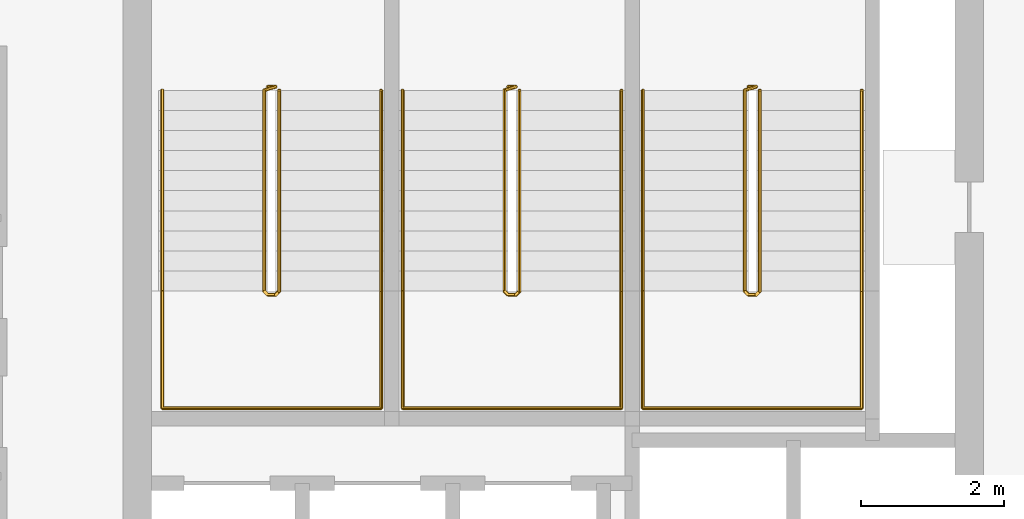
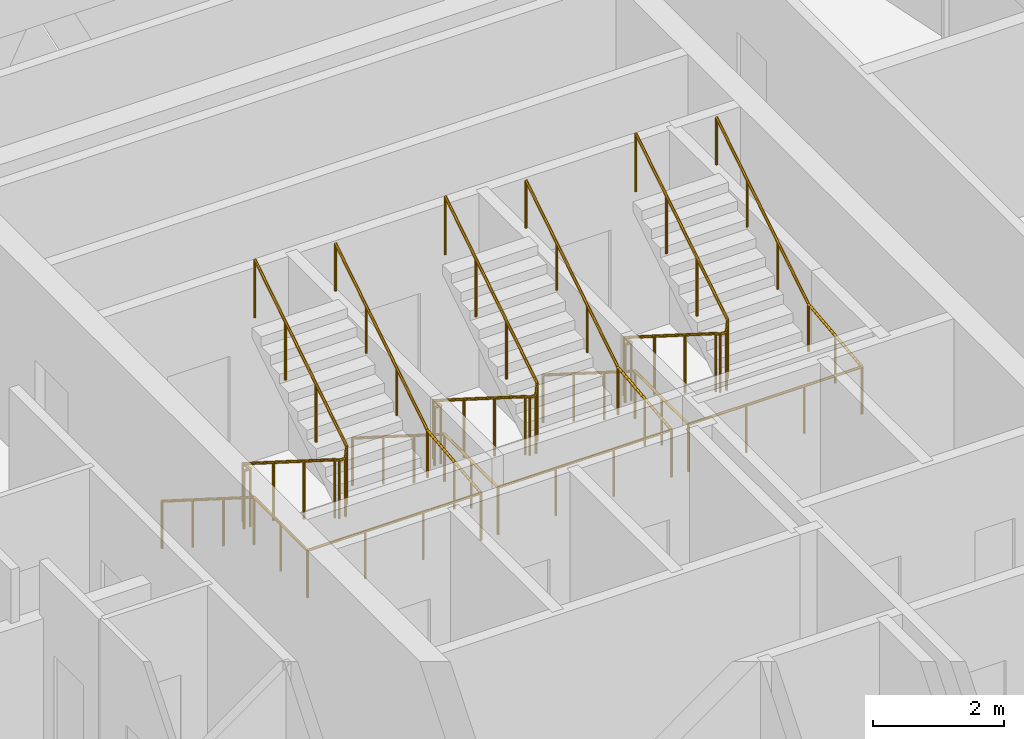
# One storey, part 10 of 10: 6 railings.
"""IFC4 building model written with IfcOpenShell, lengths in metres."""

from ifc_helpers import new_model, si_unit, direction, frame, origin, origin_2d, place, context, subcontext, project, spatial, circle, extrude, material, type_object, element, save


model = new_model("IFC4")

# Units and contexts
model_context = context("Model", 3, precision=1e-05, world=origin(), true_north=direction((0.0, 1.0)))
body_context = subcontext(model_context, "Body", "Model", "MODEL_VIEW")
ifc_project = project(units=[si_unit("LENGTHUNIT", "METRE"), si_unit("AREAUNIT", "SQUARE_METRE"), si_unit("VOLUMEUNIT", "CUBIC_METRE"), si_unit("PLANEANGLEUNIT", "RADIAN"), si_unit("MASSUNIT", "GRAM", prefix="KILO")], contexts=[model_context])

# Site, building, storey
site_placement = place(None, origin())
site = spatial("IfcSite", under=ifc_project, at=site_placement, CompositionType="ELEMENT")
building_placement = place(site_placement, origin())
building = spatial("IfcBuilding", under=site, at=building_placement, Name="Tessera Arch", CompositionType="ELEMENT")
storey_placement = place(building_placement, frame((0.0, 0.0, 254.0)))
storey = spatial("IfcBuildingStorey", under=building, at=storey_placement, Name="L61", CompositionType="ELEMENT", Elevation=254.0)

# Railings
ifc_material_1 = material(Name="Painted steel balustrade", Category="steel")
railing_type_1 = type_object("IfcRailingType", Name="Stair guard 1100", PredefinedType="GUARDRAIL", material=ifc_material_1)
railing_1_placement = place(storey_placement, frame((38.219970703125, 43.6298828125, 0.0)))
element("IfcRailing", 1, at=railing_1_placement, inside=storey, type_object=railing_type_1, Name="L61 S1a stair guard 1", PredefinedType="GUARDRAIL", context=body_context, shape_type="SweptSolid", body=[
    extrude(circle(Radius=0.02392578125, at=origin_2d()), frame((-0.00390625, 0.0, 1.076171875), z_axis=(1.0, 0.0, 0.0), x_axis=(0.0, 1.0, 0.0)), (0.0, 0.0, 1.0), 0.1181640625),
    extrude(circle(Radius=0.02392578125, at=origin_2d()), frame((0.11279296875, 0.000732421875, 1.0732421875), z_axis=(-0.656319048605, -0.204099216335, 0.726353093426), x_axis=(0.296948579431, -0.954893471113, 0.0)), (0.0, 0.0, 1.0), 0.251953125),
    extrude(circle(Radius=0.02392578125, at=origin_2d()), frame((-0.050048828125, -0.04638671875, 1.251220703125), z_axis=(0.0, -0.844908973607, 0.534910110503), x_axis=(1.0, 0.0, 0.0)), (0.0, 0.0, 1.0), 3.322021484375),
    extrude(circle(Radius=0.02392578125, at=origin_2d()), frame((-0.052978515625, -2.846923828125, 3.02587890625), z_axis=(0.707106781187, -0.707106781187, 0.0), x_axis=(0.707106781187, 0.707106781187, 0.0)), (0.0, 0.0, 1.0), 0.078857421875),
    extrude(circle(Radius=0.02392578125, at=origin_2d()), frame((-0.00390625, -2.89990234375, 3.02587890625), z_axis=(1.0, 0.0, 0.0), x_axis=(0.0, 1.0, 0.0)), (0.0, 0.0, 1.0), 0.1181640625),
    extrude(circle(Radius=0.02392578125, at=origin_2d()), frame((0.109130859375, -2.90087890625, 3.022216796875), z_axis=(0.261041864531, 0.262321481514, 0.929001929653), x_axis=(-0.708833529934, 0.705375805398, 0.0)), (0.0, 0.0, 1.0), 0.19873046875),
    extrude(circle(Radius=0.02392578125, at=origin_2d()), frame((0.159912109375, -2.853271484375, 3.201171875), z_axis=(0.0, 0.844908973607, 0.534910110503), x_axis=(-1.0, 0.0, 0.0)), (0.0, 0.0, 1.0), 3.322021484375),
    extrude(circle(Radius=0.02099609375, at=origin_2d()), origin(), (0.0, 0.0, 1.0), 1.06396484375),
    extrude(circle(Radius=0.02099609375, at=origin_2d()), frame((0.110107421875, 0.0, 0.0)), (0.0, 0.0, 1.0), 1.06396484375),
    extrude(circle(Radius=0.02099609375, at=origin_2d()), frame((-0.050048828125, -0.0498046875, 0.17724609375)), (0.0, 0.0, 1.0), 1.06396484375),
    extrude(circle(Radius=0.02099609375, at=origin_2d()), frame((-0.050048828125, -0.983154296875, 0.76806640625)), (0.0, 0.0, 1.0), 1.06396484375),
    extrude(circle(Radius=0.02099609375, at=origin_2d()), frame((-0.050048828125, -1.91650390625, 1.359130859375)), (0.0, 0.0, 1.0), 1.06396484375),
    extrude(circle(Radius=0.02099609375, at=origin_2d()), frame((-0.050048828125, -2.849853515625, 1.949951171875)), (0.0, 0.0, 1.0), 1.06396484375),
    extrude(circle(Radius=0.02099609375, at=origin_2d()), frame((0.0, -2.89990234375, 1.949951171875)), (0.0, 0.0, 1.0), 1.06396484375),
    extrude(circle(Radius=0.02099609375, at=origin_2d()), frame((0.110107421875, -2.89990234375, 1.949951171875)), (0.0, 0.0, 1.0), 1.06396484375),
    extrude(circle(Radius=0.02099609375, at=origin_2d()), frame((0.159912109375, -2.849853515625, 2.127197265625)), (0.0, 0.0, 1.0), 1.06396484375),
    extrude(circle(Radius=0.02099609375, at=origin_2d()), frame((0.159912109375, -1.91650390625, 2.718017578125)), (0.0, 0.0, 1.0), 1.06396484375),
    extrude(circle(Radius=0.02099609375, at=origin_2d()), frame((0.159912109375, -0.983154296875, 3.30908203125)), (0.0, 0.0, 1.0), 1.06396484375),
    extrude(circle(Radius=0.02099609375, at=origin_2d()), frame((0.159912109375, -0.0498046875, 3.89990234375)), (0.0, 0.0, 1.0), 1.06396484375),
])
railing_2_placement = place(storey_placement, frame((41.570068359375, 43.6298828125, 0.0)))
element("IfcRailing", 2, at=railing_2_placement, inside=storey, type_object=railing_type_1, Name="L61 S1b stair guard 1", PredefinedType="GUARDRAIL", context=body_context, shape_type="SweptSolid", body=[
    extrude(circle(Radius=0.02392578125, at=origin_2d()), frame((-0.00390625, 0.0, 1.076171875), z_axis=(1.0, 0.0, 0.0), x_axis=(0.0, 1.0, 0.0)), (0.0, 0.0, 1.0), 0.117919921875),
    extrude(circle(Radius=0.02392578125, at=origin_2d()), frame((0.112548828125, 0.000732421875, 1.0732421875), z_axis=(-0.65574896516, -0.204233265485, 0.726830150696), x_axis=(0.297361876254, -0.954764847777, 0.0)), (0.0, 0.0, 1.0), 0.251953125),
    extrude(circle(Radius=0.02392578125, at=origin_2d()), frame((-0.050048828125, -0.04638671875, 1.251220703125), z_axis=(0.0, -0.844908973607, 0.534910110503), x_axis=(1.0, 0.0, 0.0)), (0.0, 0.0, 1.0), 3.322021484375),
    extrude(circle(Radius=0.02392578125, at=origin_2d()), frame((-0.052978515625, -2.846923828125, 3.02587890625), z_axis=(0.707106781187, -0.707106781187, 0.0), x_axis=(0.707106781187, 0.707106781187, 0.0)), (0.0, 0.0, 1.0), 0.078857421875),
    extrude(circle(Radius=0.02392578125, at=origin_2d()), frame((-0.00390625, -2.89990234375, 3.02587890625), z_axis=(1.0, 0.0, 0.0), x_axis=(0.0, 1.0, 0.0)), (0.0, 0.0, 1.0), 0.117919921875),
    extrude(circle(Radius=0.02392578125, at=origin_2d()), frame((0.10888671875, -2.90087890625, 3.022216796875), z_axis=(0.262233686654, 0.262233686654, 0.928691007369), x_axis=(-0.707106781187, 0.707106781187, 0.0)), (0.0, 0.0, 1.0), 0.198974609375),
    extrude(circle(Radius=0.02392578125, at=origin_2d()), frame((0.159912109375, -2.853271484375, 3.201171875), z_axis=(0.0, 0.844908973607, 0.534910110503), x_axis=(-1.0, 0.0, 0.0)), (0.0, 0.0, 1.0), 3.322021484375),
    extrude(circle(Radius=0.02099609375, at=origin_2d()), origin(), (0.0, 0.0, 1.0), 1.06396484375),
    extrude(circle(Radius=0.02099609375, at=origin_2d()), frame((0.10986328125, 0.0, 0.0)), (0.0, 0.0, 1.0), 1.06396484375),
    extrude(circle(Radius=0.02099609375, at=origin_2d()), frame((-0.050048828125, -0.0498046875, 0.17724609375)), (0.0, 0.0, 1.0), 1.06396484375),
    extrude(circle(Radius=0.02099609375, at=origin_2d()), frame((-0.050048828125, -0.983154296875, 0.76806640625)), (0.0, 0.0, 1.0), 1.06396484375),
    extrude(circle(Radius=0.02099609375, at=origin_2d()), frame((-0.050048828125, -1.91650390625, 1.359130859375)), (0.0, 0.0, 1.0), 1.06396484375),
    extrude(circle(Radius=0.02099609375, at=origin_2d()), frame((-0.050048828125, -2.849853515625, 1.949951171875)), (0.0, 0.0, 1.0), 1.06396484375),
    extrude(circle(Radius=0.02099609375, at=origin_2d()), frame((0.0, -2.89990234375, 1.949951171875)), (0.0, 0.0, 1.0), 1.06396484375),
    extrude(circle(Radius=0.02099609375, at=origin_2d()), frame((0.10986328125, -2.89990234375, 1.949951171875)), (0.0, 0.0, 1.0), 1.06396484375),
    extrude(circle(Radius=0.02099609375, at=origin_2d()), frame((0.159912109375, -2.849853515625, 2.127197265625)), (0.0, 0.0, 1.0), 1.06396484375),
    extrude(circle(Radius=0.02099609375, at=origin_2d()), frame((0.159912109375, -1.91650390625, 2.718017578125)), (0.0, 0.0, 1.0), 1.06396484375),
    extrude(circle(Radius=0.02099609375, at=origin_2d()), frame((0.159912109375, -0.983154296875, 3.30908203125)), (0.0, 0.0, 1.0), 1.06396484375),
    extrude(circle(Radius=0.02099609375, at=origin_2d()), frame((0.159912109375, -0.0498046875, 3.89990234375)), (0.0, 0.0, 1.0), 1.06396484375),
])
railing_3_placement = place(storey_placement, frame((44.919921875, 43.6298828125, 0.0)))
element("IfcRailing", 3, at=railing_3_placement, inside=storey, type_object=railing_type_1, Name="L61 S1c stair guard 1", PredefinedType="GUARDRAIL", context=body_context, shape_type="SweptSolid", body=[
    extrude(circle(Radius=0.02392578125, at=origin_2d()), frame((-0.00390625, 0.0, 1.076171875), z_axis=(1.0, 0.0, 0.0), x_axis=(0.0, 1.0, 0.0)), (0.0, 0.0, 1.0), 0.1181640625),
    extrude(circle(Radius=0.02392578125, at=origin_2d()), frame((0.11279296875, 0.000732421875, 1.0732421875), z_axis=(-0.65574896516, -0.204233265485, 0.726830150696), x_axis=(0.297361876254, -0.954764847777, 0.0)), (0.0, 0.0, 1.0), 0.251953125),
    extrude(circle(Radius=0.02392578125, at=origin_2d()), frame((-0.0498046875, -0.04638671875, 1.251220703125), z_axis=(0.0, -0.844908973607, 0.534910110503), x_axis=(1.0, 0.0, 0.0)), (0.0, 0.0, 1.0), 3.322021484375),
    extrude(circle(Radius=0.02392578125, at=origin_2d()), frame((-0.052734375, -2.846923828125, 3.02587890625), z_axis=(0.705375805398, -0.708833529934, 0.0), x_axis=(0.708833529934, 0.705375805398, 0.0)), (0.0, 0.0, 1.0), 0.07861328125),
    extrude(circle(Radius=0.02392578125, at=origin_2d()), frame((-0.00390625, -2.89990234375, 3.02587890625), z_axis=(1.0, 0.0, 0.0), x_axis=(0.0, 1.0, 0.0)), (0.0, 0.0, 1.0), 0.1181640625),
    extrude(circle(Radius=0.02392578125, at=origin_2d()), frame((0.109130859375, -2.90087890625, 3.022216796875), z_axis=(0.262233686654, 0.262233686654, 0.928691007369), x_axis=(-0.707106781187, 0.707106781187, 0.0)), (0.0, 0.0, 1.0), 0.198974609375),
    extrude(circle(Radius=0.02392578125, at=origin_2d()), frame((0.16015625, -2.853271484375, 3.201171875), z_axis=(0.0, 0.844908973607, 0.534910110503), x_axis=(-1.0, 0.0, 0.0)), (0.0, 0.0, 1.0), 3.322021484375),
    extrude(circle(Radius=0.02099609375, at=origin_2d()), origin(), (0.0, 0.0, 1.0), 1.06396484375),
    extrude(circle(Radius=0.02099609375, at=origin_2d()), frame((0.110107421875, 0.0, 0.0)), (0.0, 0.0, 1.0), 1.06396484375),
    extrude(circle(Radius=0.02099609375, at=origin_2d()), frame((-0.0498046875, -0.0498046875, 0.17724609375)), (0.0, 0.0, 1.0), 1.06396484375),
    extrude(circle(Radius=0.02099609375, at=origin_2d()), frame((-0.0498046875, -0.983154296875, 0.76806640625)), (0.0, 0.0, 1.0), 1.06396484375),
    extrude(circle(Radius=0.02099609375, at=origin_2d()), frame((-0.0498046875, -1.91650390625, 1.359130859375)), (0.0, 0.0, 1.0), 1.06396484375),
    extrude(circle(Radius=0.02099609375, at=origin_2d()), frame((-0.0498046875, -2.849853515625, 1.949951171875)), (0.0, 0.0, 1.0), 1.06396484375),
    extrude(circle(Radius=0.02099609375, at=origin_2d()), frame((0.0, -2.89990234375, 1.949951171875)), (0.0, 0.0, 1.0), 1.06396484375),
    extrude(circle(Radius=0.02099609375, at=origin_2d()), frame((0.110107421875, -2.89990234375, 1.949951171875)), (0.0, 0.0, 1.0), 1.06396484375),
    extrude(circle(Radius=0.02099609375, at=origin_2d()), frame((0.16015625, -2.849853515625, 2.127197265625)), (0.0, 0.0, 1.0), 1.06396484375),
    extrude(circle(Radius=0.02099609375, at=origin_2d()), frame((0.16015625, -1.91650390625, 2.718017578125)), (0.0, 0.0, 1.0), 1.06396484375),
    extrude(circle(Radius=0.02099609375, at=origin_2d()), frame((0.16015625, -0.983154296875, 3.30908203125)), (0.0, 0.0, 1.0), 1.06396484375),
    extrude(circle(Radius=0.02099609375, at=origin_2d()), frame((0.16015625, -0.0498046875, 3.89990234375)), (0.0, 0.0, 1.0), 1.06396484375),
])
ifc_material_2 = material(Name="Painted steel handrail", Category="steel")
railing_type_2 = type_object("IfcRailingType", Name="Stair handrail 900", PredefinedType="HANDRAIL", material=ifc_material_2)
railing_4_placement = place(storey_placement, frame((36.75, 43.580078125, 0.17724609375)))
element("IfcRailing", 4, at=railing_4_placement, inside=storey, type_object=railing_type_2, Name="L61 S1a stair handrail", PredefinedType="HANDRAIL", context=body_context, shape_type="SweptSolid", body=[
    extrude(circle(Radius=0.02392578125, at=origin_2d()), frame((0.0, 0.00341796875, 0.873779296875), z_axis=(0.0, -0.844908973607, 0.534910110503), x_axis=(1.0, 0.0, 0.0)), (0.0, 0.0, 1.0), 3.322021484375),
    extrude(circle(Radius=0.02392578125, at=origin_2d()), frame((0.0, -2.796142578125, 2.6484375), z_axis=(0.0, -1.0, 0.0), x_axis=(1.0, 0.0, 0.0)), (0.0, 0.0, 1.0), 1.63818359375),
    extrude(circle(Radius=0.02392578125, at=origin_2d()), frame((-0.00390625, -4.43017578125, 2.6484375), z_axis=(1.0, 0.0, 0.0), x_axis=(0.0, 1.0, 0.0)), (0.0, 0.0, 1.0), 3.05810546875),
    extrude(circle(Radius=0.02392578125, at=origin_2d()), frame((3.050048828125, -4.43408203125, 2.648193359375), z_axis=(0.0, 0.994140637614, 0.108094369164), x_axis=(-1.0, 0.0, 0.0)), (0.0, 0.0, 1.0), 1.647705078125),
    extrude(circle(Radius=0.02392578125, at=origin_2d()), frame((3.050048828125, -2.803466796875, 2.82373046875), z_axis=(0.0, 0.844908973607, 0.534910110503), x_axis=(-1.0, 0.0, 0.0)), (0.0, 0.0, 1.0), 3.322021484375),
    extrude(circle(Radius=0.02099609375, at=origin_2d()), origin(), (0.0, 0.0, 1.0), 0.86376953125),
    extrude(circle(Radius=0.02099609375, at=origin_2d()), frame((0.0, -0.933349609375, 0.5908203125)), (0.0, 0.0, 1.0), 0.86376953125),
    extrude(circle(Radius=0.02099609375, at=origin_2d()), frame((0.0, -1.86669921875, 1.181884765625)), (0.0, 0.0, 1.0), 0.86376953125),
    extrude(circle(Radius=0.02099609375, at=origin_2d()), frame((0.0, -2.800048828125, 1.772705078125)), (0.0, 0.0, 1.0), 0.86376953125),
    extrude(circle(Radius=0.02099609375, at=origin_2d()), frame((0.0, -3.615234375, 1.772705078125)), (0.0, 0.0, 1.0), 0.86376953125),
    extrude(circle(Radius=0.02099609375, at=origin_2d()), frame((0.0, -4.43017578125, 1.772705078125)), (0.0, 0.0, 1.0), 0.86376953125),
    extrude(circle(Radius=0.02099609375, at=origin_2d()), frame((1.0166015625, -4.43017578125, 1.772705078125)), (0.0, 0.0, 1.0), 0.86376953125),
    extrude(circle(Radius=0.02099609375, at=origin_2d()), frame((2.033447265625, -4.43017578125, 1.772705078125)), (0.0, 0.0, 1.0), 0.86376953125),
    extrude(circle(Radius=0.02099609375, at=origin_2d()), frame((3.050048828125, -4.43017578125, 1.772705078125)), (0.0, 0.0, 1.0), 0.86376953125),
    extrude(circle(Radius=0.02099609375, at=origin_2d()), frame((3.050048828125, -3.615234375, 1.861328125)), (0.0, 0.0, 1.0), 0.86376953125),
    extrude(circle(Radius=0.02099609375, at=origin_2d()), frame((3.050048828125, -2.800048828125, 1.949951171875)), (0.0, 0.0, 1.0), 0.86376953125),
    extrude(circle(Radius=0.02099609375, at=origin_2d()), frame((3.050048828125, -1.86669921875, 2.540771484375)), (0.0, 0.0, 1.0), 0.86376953125),
    extrude(circle(Radius=0.02099609375, at=origin_2d()), frame((3.050048828125, -0.933349609375, 3.1318359375)), (0.0, 0.0, 1.0), 0.86376953125),
    extrude(circle(Radius=0.02099609375, at=origin_2d()), frame((3.050048828125, 0.0, 3.72265625)), (0.0, 0.0, 1.0), 0.86376953125),
])
railing_5_placement = place(storey_placement, frame((40.10009765625, 43.580078125, 0.17724609375)))
element("IfcRailing", 5, at=railing_5_placement, inside=storey, type_object=railing_type_2, Name="L61 S1b stair handrail", PredefinedType="HANDRAIL", context=body_context, shape_type="SweptSolid", body=[
    extrude(circle(Radius=0.02392578125, at=origin_2d()), frame((0.0, 0.00341796875, 0.873779296875), z_axis=(0.0, -0.844908973607, 0.534910110503), x_axis=(1.0, 0.0, 0.0)), (0.0, 0.0, 1.0), 3.322021484375),
    extrude(circle(Radius=0.02392578125, at=origin_2d()), frame((0.0, -2.796142578125, 2.6484375), z_axis=(0.0, -1.0, 0.0), x_axis=(1.0, 0.0, 0.0)), (0.0, 0.0, 1.0), 1.63818359375),
    extrude(circle(Radius=0.02392578125, at=origin_2d()), frame((-0.00390625, -4.43017578125, 2.6484375), z_axis=(1.0, 0.0, 0.0), x_axis=(0.0, 1.0, 0.0)), (0.0, 0.0, 1.0), 3.057861328125),
    extrude(circle(Radius=0.02392578125, at=origin_2d()), frame((3.0498046875, -4.43408203125, 2.648193359375), z_axis=(0.0, 0.994140637614, 0.108094369164), x_axis=(-1.0, 0.0, 0.0)), (0.0, 0.0, 1.0), 1.647705078125),
    extrude(circle(Radius=0.02392578125, at=origin_2d()), frame((3.0498046875, -2.803466796875, 2.82373046875), z_axis=(0.0, 0.844908973607, 0.534910110503), x_axis=(-1.0, 0.0, 0.0)), (0.0, 0.0, 1.0), 3.322021484375),
    extrude(circle(Radius=0.02099609375, at=origin_2d()), origin(), (0.0, 0.0, 1.0), 0.86376953125),
    extrude(circle(Radius=0.02099609375, at=origin_2d()), frame((0.0, -0.933349609375, 0.5908203125)), (0.0, 0.0, 1.0), 0.86376953125),
    extrude(circle(Radius=0.02099609375, at=origin_2d()), frame((0.0, -1.86669921875, 1.181884765625)), (0.0, 0.0, 1.0), 0.86376953125),
    extrude(circle(Radius=0.02099609375, at=origin_2d()), frame((0.0, -2.800048828125, 1.772705078125)), (0.0, 0.0, 1.0), 0.86376953125),
    extrude(circle(Radius=0.02099609375, at=origin_2d()), frame((0.0, -3.615234375, 1.772705078125)), (0.0, 0.0, 1.0), 0.86376953125),
    extrude(circle(Radius=0.02099609375, at=origin_2d()), frame((0.0, -4.43017578125, 1.772705078125)), (0.0, 0.0, 1.0), 0.86376953125),
    extrude(circle(Radius=0.02099609375, at=origin_2d()), frame((1.0166015625, -4.43017578125, 1.772705078125)), (0.0, 0.0, 1.0), 0.86376953125),
    extrude(circle(Radius=0.02099609375, at=origin_2d()), frame((2.033203125, -4.43017578125, 1.772705078125)), (0.0, 0.0, 1.0), 0.86376953125),
    extrude(circle(Radius=0.02099609375, at=origin_2d()), frame((3.0498046875, -4.43017578125, 1.772705078125)), (0.0, 0.0, 1.0), 0.86376953125),
    extrude(circle(Radius=0.02099609375, at=origin_2d()), frame((3.0498046875, -3.615234375, 1.861328125)), (0.0, 0.0, 1.0), 0.86376953125),
    extrude(circle(Radius=0.02099609375, at=origin_2d()), frame((3.0498046875, -2.800048828125, 1.949951171875)), (0.0, 0.0, 1.0), 0.86376953125),
    extrude(circle(Radius=0.02099609375, at=origin_2d()), frame((3.0498046875, -1.86669921875, 2.540771484375)), (0.0, 0.0, 1.0), 0.86376953125),
    extrude(circle(Radius=0.02099609375, at=origin_2d()), frame((3.0498046875, -0.933349609375, 3.1318359375)), (0.0, 0.0, 1.0), 0.86376953125),
    extrude(circle(Radius=0.02099609375, at=origin_2d()), frame((3.0498046875, 0.0, 3.72265625)), (0.0, 0.0, 1.0), 0.86376953125),
])
railing_6_placement = place(storey_placement, frame((43.449951171875, 43.580078125, 0.17724609375)))
element("IfcRailing", 6, at=railing_6_placement, inside=storey, type_object=railing_type_2, Name="L61 S1c stair handrail", PredefinedType="HANDRAIL", context=body_context, shape_type="SweptSolid", body=[
    extrude(circle(Radius=0.02392578125, at=origin_2d()), frame((0.0, 0.00341796875, 0.873779296875), z_axis=(0.0, -0.844908973607, 0.534910110503), x_axis=(1.0, 0.0, 0.0)), (0.0, 0.0, 1.0), 3.322021484375),
    extrude(circle(Radius=0.02392578125, at=origin_2d()), frame((0.0, -2.796142578125, 2.6484375), z_axis=(0.0, -1.0, 0.0), x_axis=(1.0, 0.0, 0.0)), (0.0, 0.0, 1.0), 1.63818359375),
    extrude(circle(Radius=0.02392578125, at=origin_2d()), frame((-0.00390625, -4.43017578125, 2.6484375), z_axis=(1.0, 0.0, 0.0), x_axis=(0.0, 1.0, 0.0)), (0.0, 0.0, 1.0), 3.05810546875),
    extrude(circle(Radius=0.02392578125, at=origin_2d()), frame((3.050048828125, -4.43408203125, 2.648193359375), z_axis=(0.0, 0.994140637614, 0.108094369164), x_axis=(-1.0, 0.0, 0.0)), (0.0, 0.0, 1.0), 1.647705078125),
    extrude(circle(Radius=0.02392578125, at=origin_2d()), frame((3.050048828125, -2.803466796875, 2.82373046875), z_axis=(0.0, 0.844908973607, 0.534910110503), x_axis=(-1.0, 0.0, 0.0)), (0.0, 0.0, 1.0), 3.322021484375),
    extrude(circle(Radius=0.02099609375, at=origin_2d()), origin(), (0.0, 0.0, 1.0), 0.86376953125),
    extrude(circle(Radius=0.02099609375, at=origin_2d()), frame((0.0, -0.933349609375, 0.5908203125)), (0.0, 0.0, 1.0), 0.86376953125),
    extrude(circle(Radius=0.02099609375, at=origin_2d()), frame((0.0, -1.86669921875, 1.181884765625)), (0.0, 0.0, 1.0), 0.86376953125),
    extrude(circle(Radius=0.02099609375, at=origin_2d()), frame((0.0, -2.800048828125, 1.772705078125)), (0.0, 0.0, 1.0), 0.86376953125),
    extrude(circle(Radius=0.02099609375, at=origin_2d()), frame((0.0, -3.615234375, 1.772705078125)), (0.0, 0.0, 1.0), 0.86376953125),
    extrude(circle(Radius=0.02099609375, at=origin_2d()), frame((0.0, -4.43017578125, 1.772705078125)), (0.0, 0.0, 1.0), 0.86376953125),
    extrude(circle(Radius=0.02099609375, at=origin_2d()), frame((1.0166015625, -4.43017578125, 1.772705078125)), (0.0, 0.0, 1.0), 0.86376953125),
    extrude(circle(Radius=0.02099609375, at=origin_2d()), frame((2.033447265625, -4.43017578125, 1.772705078125)), (0.0, 0.0, 1.0), 0.86376953125),
    extrude(circle(Radius=0.02099609375, at=origin_2d()), frame((3.050048828125, -4.43017578125, 1.772705078125)), (0.0, 0.0, 1.0), 0.86376953125),
    extrude(circle(Radius=0.02099609375, at=origin_2d()), frame((3.050048828125, -3.615234375, 1.861328125)), (0.0, 0.0, 1.0), 0.86376953125),
    extrude(circle(Radius=0.02099609375, at=origin_2d()), frame((3.050048828125, -2.800048828125, 1.949951171875)), (0.0, 0.0, 1.0), 0.86376953125),
    extrude(circle(Radius=0.02099609375, at=origin_2d()), frame((3.050048828125, -1.86669921875, 2.540771484375)), (0.0, 0.0, 1.0), 0.86376953125),
    extrude(circle(Radius=0.02099609375, at=origin_2d()), frame((3.050048828125, -0.933349609375, 3.1318359375)), (0.0, 0.0, 1.0), 0.86376953125),
    extrude(circle(Radius=0.02099609375, at=origin_2d()), frame((3.050048828125, 0.0, 3.72265625)), (0.0, 0.0, 1.0), 0.86376953125),
])

save(model, "model.ifc")
